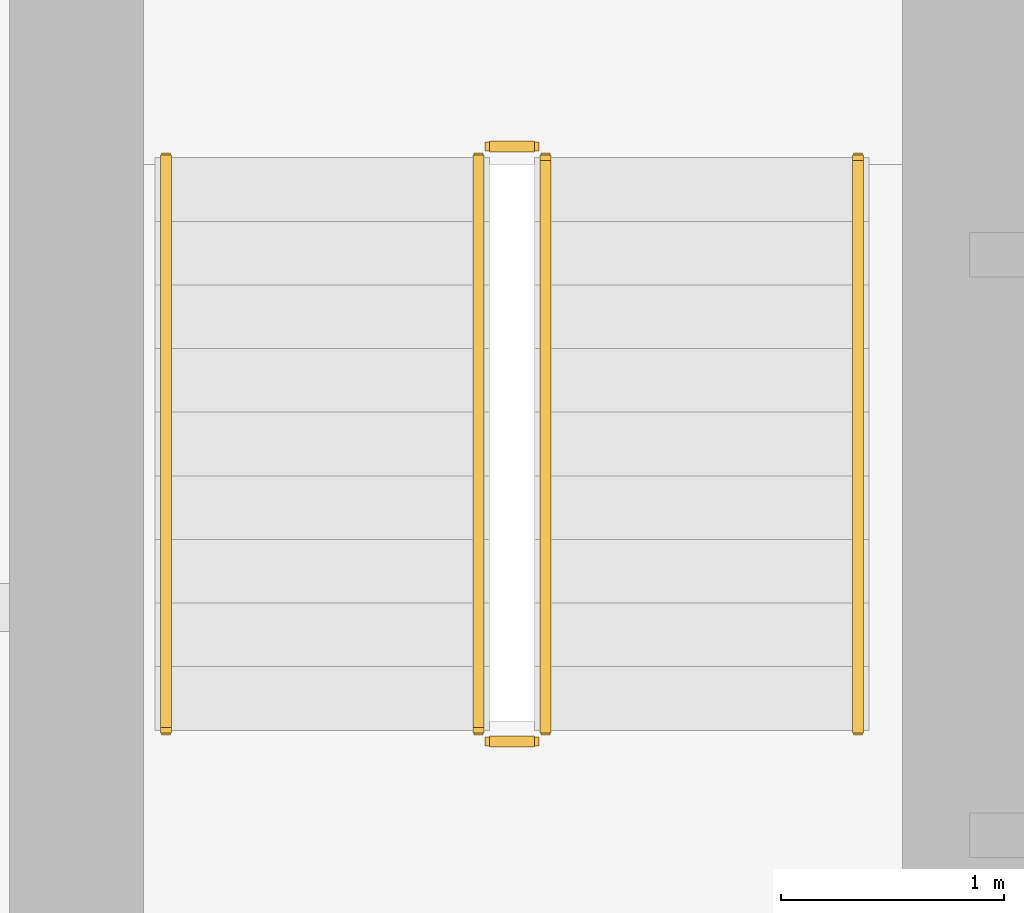
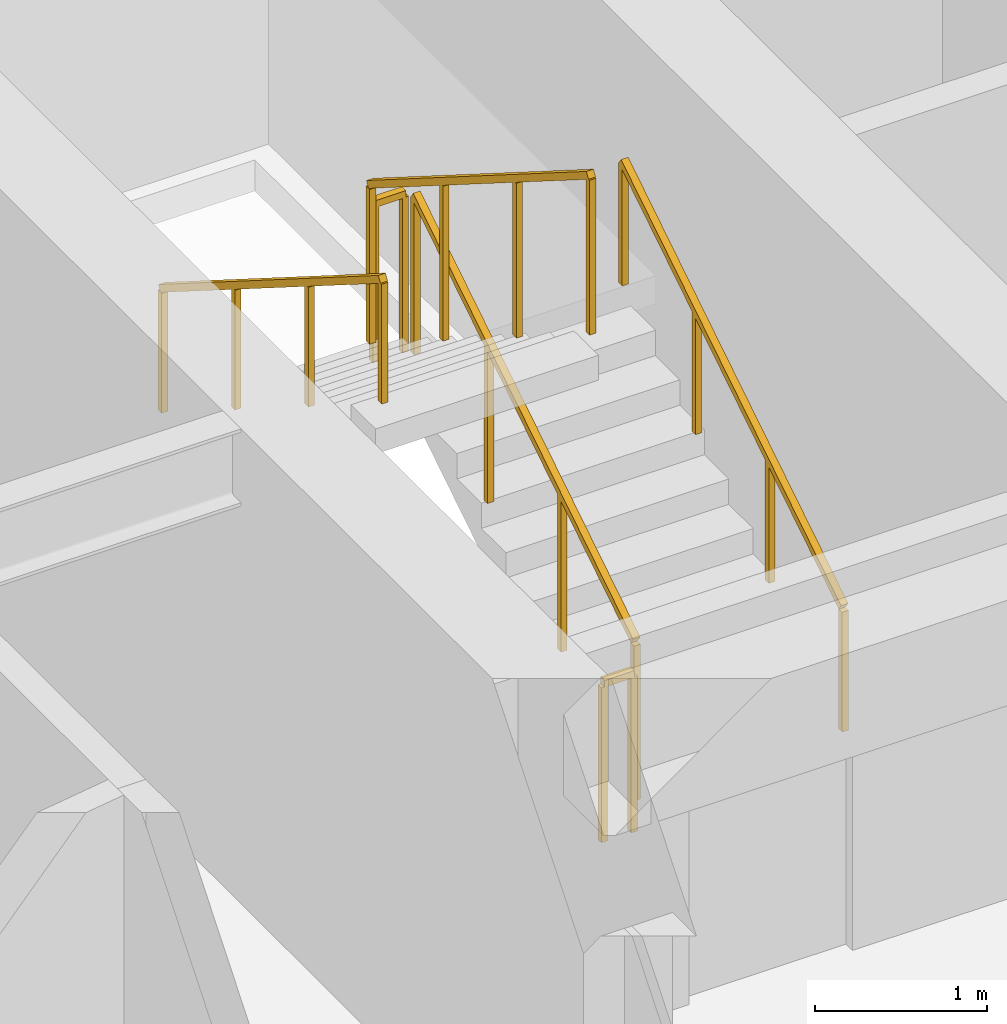
# One storey, part 24 of 26: 6 railings.
"""IFC4 building model written with IfcOpenShell, lengths in metres."""

from ifc_helpers import new_model, si_unit, direction, frame, origin, origin_2d, place, context, subcontext, project, spatial, rectangle, extrude, material, type_object, element, save


model = new_model("IFC4")

# Units and contexts
model_context = context("Model", 3, precision=1e-05, world=origin(), true_north=direction((0.0, 1.0)))
body_context = subcontext(model_context, "Body", "Model", "MODEL_VIEW")
ifc_project = project(units=[si_unit("LENGTHUNIT", "METRE"), si_unit("AREAUNIT", "SQUARE_METRE"), si_unit("VOLUMEUNIT", "CUBIC_METRE"), si_unit("PLANEANGLEUNIT", "RADIAN"), si_unit("MASSUNIT", "GRAM", prefix="KILO")], contexts=[model_context])

# Site, building, storey
site_placement = place(None, origin())
site = spatial("IfcSite", under=ifc_project, at=site_placement, CompositionType="ELEMENT")
building_placement = place(site_placement, origin())
building = spatial("IfcBuilding", under=site, at=building_placement, Name="Sarneth Arch Tower", CompositionType="ELEMENT")
storey_placement = place(building_placement, frame((0.0, 0.0, 60.60009765625)))
storey = spatial("IfcBuildingStorey", under=building, at=storey_placement, Name="L14", CompositionType="ELEMENT", Elevation=60.60009765625)

# Railings
ifc_material_1 = material(Name="Brushed Stainless Steel 304 tubular handrail", Category="steel")
railing_type_1 = type_object("IfcRailingType", Name="RAIL-HANDRAIL-900", PredefinedType="HANDRAIL", material=ifc_material_1)
railing_1_placement = place(storey_placement, frame((40.5, 41.449951171875, 0.179931640625)))
element("IfcRailing", 1, at=railing_1_placement, inside=storey, type_object=railing_type_1, Name="L14 ST-1 stair handrail 1", PredefinedType="HANDRAIL", context=body_context, shape_type="SweptSolid", body=[
    extrude(rectangle(XDim=0.048095703125, YDim=0.048095703125, at=origin_2d()), frame((0.0, 0.0, 0.8759765625), z_axis=(0.0, 0.845502289212, 0.533971796014), x_axis=(-1.0, 0.0, 0.0)), (0.0, 0.0, 1.0), 3.03369140625),
    extrude(rectangle(XDim=0.0419921875, YDim=0.0419921875, at=origin_2d()), origin(), (0.0, 0.0, 1.0), 0.851806640625),
    extrude(rectangle(XDim=0.0419921875, YDim=0.0419921875, at=origin_2d()), frame((0.0, 0.85498046875, 0.5400390625)), (0.0, 0.0, 1.0), 0.851806640625),
    extrude(rectangle(XDim=0.0419921875, YDim=0.0419921875, at=origin_2d()), frame((0.0, 1.7099609375, 1.079833984375)), (0.0, 0.0, 1.0), 0.851806640625),
    extrude(rectangle(XDim=0.0419921875, YDim=0.0419921875, at=origin_2d()), frame((0.0, 2.56494140625, 1.619873046875)), (0.0, 0.0, 1.0), 0.851806640625),
])
railing_2_placement = place(storey_placement, frame((37.39990234375, 44.014892578125, 1.97998046875)))
element("IfcRailing", 2, at=railing_2_placement, inside=storey, type_object=railing_type_1, Name="L14 ST-1 stair handrail 2", PredefinedType="HANDRAIL", context=body_context, shape_type="SweptSolid", body=[
    extrude(rectangle(XDim=0.048095703125, YDim=0.048095703125, at=origin_2d()), frame((0.0, 0.0, 0.8759765625), z_axis=(0.0, -0.845502289212, 0.533971796014), x_axis=(1.0, 0.0, 0.0)), (0.0, 0.0, 1.0), 3.03369140625),
    extrude(rectangle(XDim=0.0419921875, YDim=0.0419921875, at=origin_2d()), origin(), (0.0, 0.0, 1.0), 0.851806640625),
    extrude(rectangle(XDim=0.0419921875, YDim=0.0419921875, at=origin_2d()), frame((0.0, -0.85498046875, 0.5400390625)), (0.0, 0.0, 1.0), 0.851806640625),
    extrude(rectangle(XDim=0.0419921875, YDim=0.0419921875, at=origin_2d()), frame((0.0, -1.7099609375, 1.079833984375)), (0.0, 0.0, 1.0), 0.851806640625),
    extrude(rectangle(XDim=0.0419921875, YDim=0.0419921875, at=origin_2d()), frame((0.0, -2.56494140625, 1.619873046875)), (0.0, 0.0, 1.0), 0.851806640625),
])
ifc_material_2 = material(Name="Painted Steel S275 stair well guard", Category="steel")
railing_type_2 = type_object("IfcRailingType", Name="RAIL-STAIR-GUARD", PredefinedType="GUARDRAIL", material=ifc_material_2)
railing_3_placement = place(storey_placement, frame((39.10009765625, 41.449951171875, 0.179931640625)))
element("IfcRailing", 3, at=railing_3_placement, inside=storey, type_object=railing_type_2, Name="L14 ST-1 stair guard 1", PredefinedType="GUARDRAIL", context=body_context, shape_type="SweptSolid", body=[
    extrude(rectangle(XDim=0.048095703125, YDim=0.048095703125, at=origin_2d()), frame((0.0, 0.0, 1.1259765625), z_axis=(0.0, 0.845502289212, 0.533971796014), x_axis=(-1.0, 0.0, 0.0)), (0.0, 0.0, 1.0), 3.03369140625),
    extrude(rectangle(XDim=0.0419921875, YDim=0.0419921875, at=origin_2d()), origin(), (0.0, 0.0, 1.0), 1.101806640625),
    extrude(rectangle(XDim=0.0419921875, YDim=0.0419921875, at=origin_2d()), frame((0.0, 0.85498046875, 0.5400390625)), (0.0, 0.0, 1.0), 1.101806640625),
    extrude(rectangle(XDim=0.0419921875, YDim=0.0419921875, at=origin_2d()), frame((0.0, 1.7099609375, 1.079833984375)), (0.0, 0.0, 1.0), 1.101806640625),
    extrude(rectangle(XDim=0.0419921875, YDim=0.0419921875, at=origin_2d()), frame((0.0, 2.56494140625, 1.619873046875)), (0.0, 0.0, 1.0), 1.101806640625),
])
railing_4_placement = place(storey_placement, frame((39.050048828125, 44.06494140625, 1.7998046875)))
element("IfcRailing", 4, at=railing_4_placement, inside=storey, type_object=railing_type_2, Name="L14 ST-1 stair guard 2", PredefinedType="GUARDRAIL", context=body_context, shape_type="SweptSolid", body=[
    extrude(rectangle(XDim=0.048095703125, YDim=0.048095703125, at=origin_2d()), frame((0.0, 0.0, 1.1259765625), z_axis=(-1.0, 0.0, 0.0), x_axis=(0.0, -1.0, 0.0)), (0.0, 0.0, 1.0), 0.199951171875),
    extrude(rectangle(XDim=0.0419921875, YDim=0.0419921875, at=origin_2d()), origin(), (0.0, 0.0, 1.0), 1.101806640625),
    extrude(rectangle(XDim=0.0419921875, YDim=0.0419921875, at=origin_2d()), frame((-0.199951171875, 0.0, 0.0)), (0.0, 0.0, 1.0), 1.101806640625),
])
railing_5_placement = place(storey_placement, frame((38.800048828125, 44.014892578125, 1.97998046875)))
element("IfcRailing", 5, at=railing_5_placement, inside=storey, type_object=railing_type_2, Name="L14 ST-1 stair guard 3", PredefinedType="GUARDRAIL", context=body_context, shape_type="SweptSolid", body=[
    extrude(rectangle(XDim=0.048095703125, YDim=0.048095703125, at=origin_2d()), frame((0.0, 0.0, 1.1259765625), z_axis=(0.0, -0.845502289212, 0.533971796014), x_axis=(1.0, 0.0, 0.0)), (0.0, 0.0, 1.0), 3.03369140625),
    extrude(rectangle(XDim=0.0419921875, YDim=0.0419921875, at=origin_2d()), origin(), (0.0, 0.0, 1.0), 1.101806640625),
    extrude(rectangle(XDim=0.0419921875, YDim=0.0419921875, at=origin_2d()), frame((0.0, -0.85498046875, 0.5400390625)), (0.0, 0.0, 1.0), 1.101806640625),
    extrude(rectangle(XDim=0.0419921875, YDim=0.0419921875, at=origin_2d()), frame((0.0, -1.7099609375, 1.079833984375)), (0.0, 0.0, 1.0), 1.101806640625),
    extrude(rectangle(XDim=0.0419921875, YDim=0.0419921875, at=origin_2d()), frame((0.0, -2.56494140625, 1.619873046875)), (0.0, 0.0, 1.0), 1.101806640625),
])
railing_6_placement = place(storey_placement, frame((39.050048828125, 41.39990234375, 0.0)))
element("IfcRailing", 6, at=railing_6_placement, inside=storey, type_object=railing_type_2, Name="L14 ST-1 stair guard 4", PredefinedType="GUARDRAIL", context=body_context, shape_type="SweptSolid", body=[
    extrude(rectangle(XDim=0.048095703125, YDim=0.048095703125, at=origin_2d()), frame((0.0, 0.0, 1.1259765625), z_axis=(-1.0, 0.0, 0.0), x_axis=(0.0, -1.0, 0.0)), (0.0, 0.0, 1.0), 0.199951171875),
    extrude(rectangle(XDim=0.0419921875, YDim=0.0419921875, at=origin_2d()), origin(), (0.0, 0.0, 1.0), 1.101806640625),
    extrude(rectangle(XDim=0.0419921875, YDim=0.0419921875, at=origin_2d()), frame((-0.199951171875, 0.0, 0.0)), (0.0, 0.0, 1.0), 1.101806640625),
])

save(model, "model.ifc")
